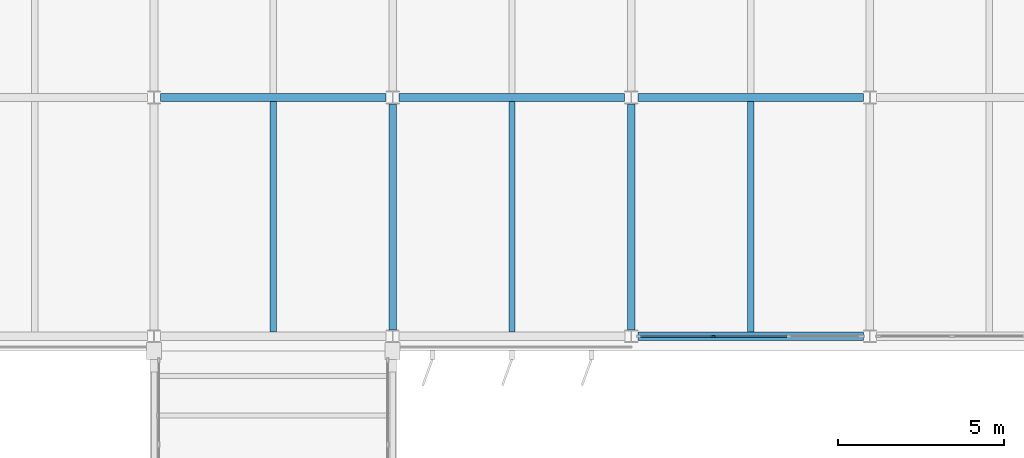
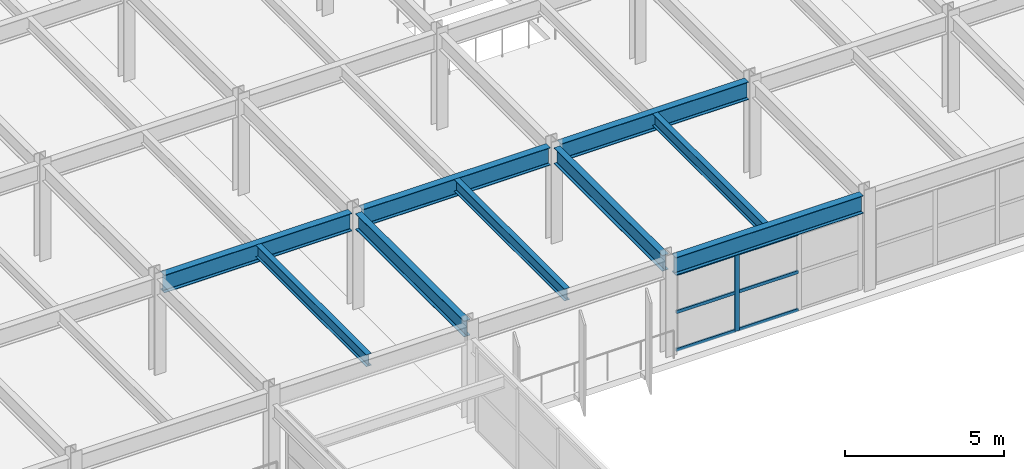
# One storey, part 24 of 93: 9 beams, 7 members, 1 element without a shape of its own.
"""IFC4 building model written with IfcOpenShell, lengths in metres."""

from ifc_helpers import new_model, si_unit, direction, frame, origin, origin_2d, place, context, subcontext, project, spatial, rectangle, i_section, extrude, material, material_profile, profile_set, type_object, element, aggregate, save


model = new_model("IFC4")

# Units and contexts
model_context = context("Model", 3, precision=1e-05, world=origin(), true_north=direction((0.0, 1.0)))
body_context = subcontext(model_context, "Body", "Model", "MODEL_VIEW")
ifc_project = project(units=[si_unit("LENGTHUNIT", "METRE"), si_unit("AREAUNIT", "SQUARE_METRE"), si_unit("VOLUMEUNIT", "CUBIC_METRE"), si_unit("PLANEANGLEUNIT", "RADIAN"), si_unit("MASSUNIT", "GRAM", prefix="KILO")], contexts=[model_context])

# Site, building, storey
site_placement = place(None, origin())
site = spatial("IfcSite", under=ifc_project, at=site_placement, CompositionType="ELEMENT")
building_placement = place(site_placement, origin())
building = spatial("IfcBuilding", under=site, at=building_placement, Name="Vaelcorin Mobility Hub", CompositionType="ELEMENT")
storey_placement = place(building_placement, frame((0.0, 0.0, 5.39990234375)))
storey = spatial("IfcBuildingStorey", under=building, at=storey_placement, Name="L01", CompositionType="ELEMENT", Elevation=5.39990234375)

# Beams
ifc_material_1 = material(Name="Steel ASTM A992 Grade 50", Category="steel")
ifc_material_profile_1 = material_profile(ifc_material_1, i_section(OverallWidth=0.19189453125, OverallDepth=0.4619140625, WebThickness=0.010498046875, FlangeThickness=0.017578125, FilletRadius=0.012939453125, at=origin_2d()), Name="W18X60")
ifc_profile_set_1 = profile_set([ifc_material_profile_1], Name="Steel ASTM A992 Grade 50")
beam_type_1 = type_object("IfcBeamType", Name="BM-W18X60", PredefinedType="JOIST", material=ifc_profile_set_1)
for number, where, z_axis, x_axis, name in (
    (1, (54.0, 76.925048828125, 3.439208984375), (0.0, 1.0, 0.0), (-1.0, 0.0, 0.0), "L01 Beam V4-L01-J-03-01-1"),
    (2, (61.199951171875, 76.925048828125, 3.439208984375), (0.0, 1.0, 0.0), (-1.0, 0.0, 0.0), "L01 Beam V4-L01-J-04-01-1"),
    (3, (68.39990234375, 76.925048828125, 3.439208984375), (0.0, 1.0, 0.0), (-1.0, 0.0, 0.0), "L01 Beam V4-L01-J-05-01-1"),
):
    element("IfcBeam", number, at=place(storey_placement, frame(where, z_axis=z_axis, x_axis=x_axis)), inside=storey, type_object=beam_type_1, Name=name, PredefinedType="JOIST", context=body_context, shape_type="SweptSolid", body=[
        extrude(i_section(OverallWidth=0.19189453125, OverallDepth=0.4619140625, WebThickness=0.010498046875, FlangeThickness=0.017578125, FilletRadius=0.012939453125, at=origin_2d()), origin(), (0.0, 0.0, 1.0), 6.949951171875),
    ])
ifc_material_profile_2 = material_profile(ifc_material_1, i_section(OverallWidth=0.22900390625, OverallDepth=0.612060546875, WebThickness=0.011962890625, FlangeThickness=0.01953125, FilletRadius=0.014892578125, at=origin_2d()), Name="W24X84")
ifc_profile_set_2 = profile_set([ifc_material_profile_2], Name="Steel ASTM A992 Grade 50")
beam_type_2 = type_object("IfcBeamType", Name="BM-W24X84", PredefinedType="BEAM", material=ifc_profile_set_2)
for number, where, z_axis, x_axis, name in (
    (4, (57.60009765625, 76.988037109375, 3.364013671875), (0.0, 1.0, 0.0), (-1.0, 0.0, 0.0), "L01 Beam V4-L01-GY-04-01"),
    (5, (64.800048828125, 76.988037109375, 3.364013671875), (0.0, 1.0, 0.0), (-1.0, 0.0, 0.0), "L01 Beam V4-L01-GY-05-01"),
):
    element("IfcBeam", number, at=place(storey_placement, frame(where, z_axis=z_axis, x_axis=x_axis)), inside=storey, type_object=beam_type_2, Name=name, PredefinedType="BEAM", context=body_context, shape_type="SweptSolid", body=[
        extrude(i_section(OverallWidth=0.22900390625, OverallDepth=0.612060546875, WebThickness=0.011962890625, FlangeThickness=0.01953125, FilletRadius=0.014892578125, at=origin_2d()), origin(), (0.0, 0.0, 1.0), 6.81689453125),
    ])
ifc_material_profile_3 = material_profile(ifc_material_1, i_section(OverallWidth=0.25390625, OverallDepth=0.68310546875, WebThickness=0.012451171875, FlangeThickness=0.018798828125, FilletRadius=0.01611328125, at=origin_2d()), Name="W27X94")
ifc_profile_set_3 = profile_set([ifc_material_profile_3], Name="Steel ASTM A992 Grade 50")
beam_type_3 = type_object("IfcBeamType", Name="BM-W27X94", PredefinedType="BEAM", material=ifc_profile_set_3)
beam_1_placement = place(storey_placement, frame((64.99609375, 76.800048828125, 3.328125), z_axis=(1.0, 0.0, 0.0), x_axis=(0.0, 1.0, 0.0)))
element("IfcBeam", 6, at=beam_1_placement, inside=storey, type_object=beam_type_3, Name="L01 Beam V4-L01-GX-01-05", PredefinedType="BEAM", context=body_context, shape_type="SweptSolid", body=[
    extrude(i_section(OverallWidth=0.25390625, OverallDepth=0.68310546875, WebThickness=0.012451171875, FlangeThickness=0.018798828125, FilletRadius=0.01611328125, at=origin_2d()), origin(), (0.0, 0.0, 1.0), 6.807861328125),
])
beam_2_placement = place(storey_placement, frame((50.597900390625, 84.0, 3.328125), z_axis=(1.0, 0.0, 0.0), x_axis=(0.0, 1.0, 0.0)))
element("IfcBeam", 7, at=beam_2_placement, inside=storey, type_object=beam_type_3, Name="L01 Beam V4-L01-GX-02-03", PredefinedType="BEAM", context=body_context, shape_type="SweptSolid", body=[
    extrude(i_section(OverallWidth=0.25390625, OverallDepth=0.68310546875, WebThickness=0.012451171875, FlangeThickness=0.018798828125, FilletRadius=0.01611328125, at=origin_2d()), origin(), (0.0, 0.0, 1.0), 6.80419921875),
])
for number, where, z_axis, x_axis, name in (
    (8, (57.798095703125, 84.0, 3.328125), (1.0, 0.0, 0.0), (0.0, 1.0, 0.0), "L01 Beam V4-L01-GX-02-04"),
    (9, (64.998046875, 84.0, 3.328125), (1.0, 0.0, 0.0), (0.0, 1.0, 0.0), "L01 Beam V4-L01-GX-02-05"),
):
    element("IfcBeam", number, at=place(storey_placement, frame(where, z_axis=z_axis, x_axis=x_axis)), inside=storey, type_object=beam_type_3, Name=name, PredefinedType="BEAM", context=body_context, shape_type="SweptSolid", body=[
        extrude(i_section(OverallWidth=0.25390625, OverallDepth=0.68310546875, WebThickness=0.012451171875, FlangeThickness=0.018798828125, FilletRadius=0.01611328125, at=origin_2d()), origin(), (0.0, 0.0, 1.0), 6.803955078125),
    ])

# Curtain wall, members
ifc_material_2 = material(Name="Anodised aluminium 6063-T6", Category="aluminium")
curtain_wall_type = type_object("IfcCurtainWallType", Name="CW-MOB-A", PredefinedType="NOTDEFINED", material=ifc_material_2)
curtain_wall_placement = place(storey_placement, origin())
curtain_wall = element("IfcCurtainWall", 10, at=curtain_wall_placement, inside=storey, type_object=curtain_wall_type, Name="L01 Curtain Wall CW-V4-L01-S-05", PredefinedType="NOTDEFINED")
ifc_material_profile_4 = material_profile(ifc_material_2, rectangle(XDim=0.06005859375, YDim=0.159912109375, at=origin_2d()), Name="ALU-M60X160")
ifc_profile_set_4 = profile_set([ifc_material_profile_4], Name="Anodised aluminium 6063-T6")
member_type_1 = type_object("IfcMemberType", Name="CW-MULL-160", PredefinedType="MULLION", material=ifc_profile_set_4)
member_1_placement = place(storey_placement, frame((67.2734375, 76.800048828125, 0.0), z_axis=(0.0, 0.0, 1.0), x_axis=(0.0, -1.0, 0.0)))
member_1 = element("IfcMember", 11, at=member_1_placement, type_object=member_type_1, Name="CW7 mullion 3", PredefinedType="MULLION", context=body_context, shape_type="SweptSolid", body=[
    extrude(rectangle(XDim=0.06005859375, YDim=0.159912109375, at=origin_2d()), origin(), (0.0, 0.0, 1.0), 2.97216796875),
])
ifc_material_profile_5 = material_profile(ifc_material_2, rectangle(XDim=0.06005859375, YDim=0.1201171875, at=origin_2d()), Name="ALU-T60X120")
ifc_profile_set_5 = profile_set([ifc_material_profile_5], Name="Anodised aluminium 6063-T6")
member_type_2 = type_object("IfcMemberType", Name="CW-TRAN-140", PredefinedType="USERDEFINED", material=ifc_profile_set_5)
member_2_placement = place(storey_placement, frame((69.49658203125, 76.800048828125, 0.030029296875), z_axis=(-1.0, 0.0, 0.0), x_axis=(0.0, -1.0, 0.0)))
member_2 = element("IfcMember", 12, at=member_2_placement, type_object=member_type_2, Name="CW7 transom 2.1", ObjectType="TRANSOM", PredefinedType="USERDEFINED", context=body_context, shape_type="SweptSolid", body=[
    extrude(rectangle(XDim=0.06005859375, YDim=0.1201171875, at=origin_2d()), origin(), (0.0, 0.0, 1.0), 2.193359375),
])
member_3_placement = place(storey_placement, frame((69.49658203125, 76.800048828125, 1.486083984375), z_axis=(-1.0, 0.0, 0.0), x_axis=(0.0, -1.0, 0.0)))
member_3 = element("IfcMember", 13, at=member_3_placement, type_object=member_type_2, Name="CW7 transom 2.2", ObjectType="TRANSOM", PredefinedType="USERDEFINED", context=body_context, shape_type="SweptSolid", body=[
    extrude(rectangle(XDim=0.06005859375, YDim=0.1201171875, at=origin_2d()), origin(), (0.0, 0.0, 1.0), 2.193359375),
])
member_4_placement = place(storey_placement, frame((69.49658203125, 76.800048828125, 2.942138671875), z_axis=(-1.0, 0.0, 0.0), x_axis=(0.0, -1.0, 0.0)))
member_4 = element("IfcMember", 14, at=member_4_placement, type_object=member_type_2, Name="CW7 transom 2.3", ObjectType="TRANSOM", PredefinedType="USERDEFINED", context=body_context, shape_type="SweptSolid", body=[
    extrude(rectangle(XDim=0.06005859375, YDim=0.1201171875, at=origin_2d()), origin(), (0.0, 0.0, 1.0), 2.193359375),
])
member_5_placement = place(storey_placement, frame((67.243408203125, 76.800048828125, 0.030029296875), z_axis=(-1.0, 0.0, 0.0), x_axis=(0.0, -1.0, 0.0)))
member_5 = element("IfcMember", 15, at=member_5_placement, type_object=member_type_2, Name="CW7 transom 3.1", ObjectType="TRANSOM", PredefinedType="USERDEFINED", context=body_context, shape_type="SweptSolid", body=[
    extrude(rectangle(XDim=0.06005859375, YDim=0.1201171875, at=origin_2d()), origin(), (0.0, 0.0, 1.0), 2.163330078125),
])
member_6_placement = place(storey_placement, frame((67.243408203125, 76.800048828125, 1.486083984375), z_axis=(-1.0, 0.0, 0.0), x_axis=(0.0, -1.0, 0.0)))
member_6 = element("IfcMember", 16, at=member_6_placement, type_object=member_type_2, Name="CW7 transom 3.2", ObjectType="TRANSOM", PredefinedType="USERDEFINED", context=body_context, shape_type="SweptSolid", body=[
    extrude(rectangle(XDim=0.06005859375, YDim=0.1201171875, at=origin_2d()), origin(), (0.0, 0.0, 1.0), 2.163330078125),
])
member_7_placement = place(storey_placement, frame((67.243408203125, 76.800048828125, 2.942138671875), z_axis=(-1.0, 0.0, 0.0), x_axis=(0.0, -1.0, 0.0)))
member_7 = element("IfcMember", 17, at=member_7_placement, type_object=member_type_2, Name="CW7 transom 3.3", ObjectType="TRANSOM", PredefinedType="USERDEFINED", context=body_context, shape_type="SweptSolid", body=[
    extrude(rectangle(XDim=0.06005859375, YDim=0.1201171875, at=origin_2d()), origin(), (0.0, 0.0, 1.0), 2.163330078125),
])
aggregate(curtain_wall, [member_1, member_2, member_3, member_4, member_5, member_6, member_7])

save(model, "model.ifc")
